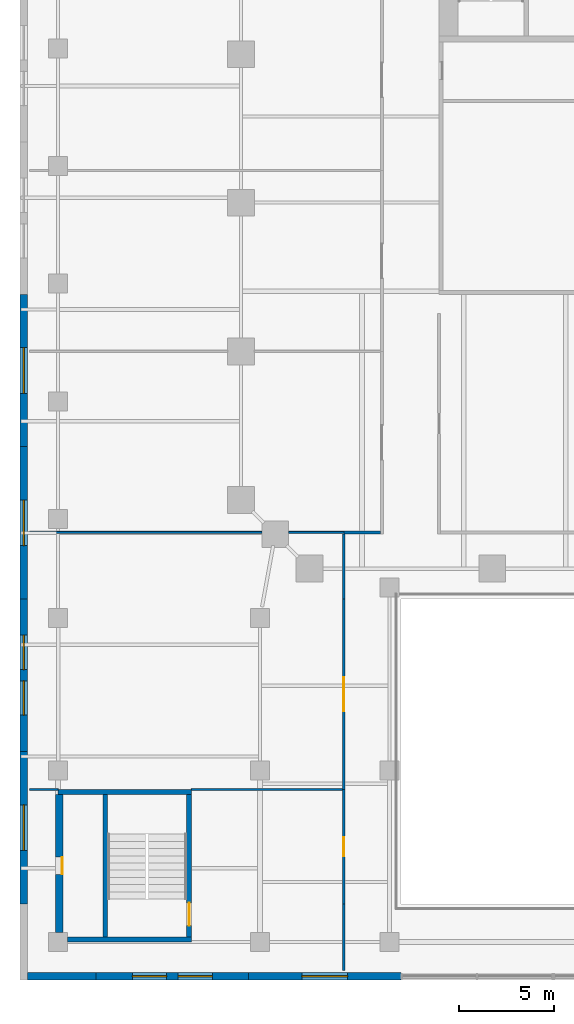
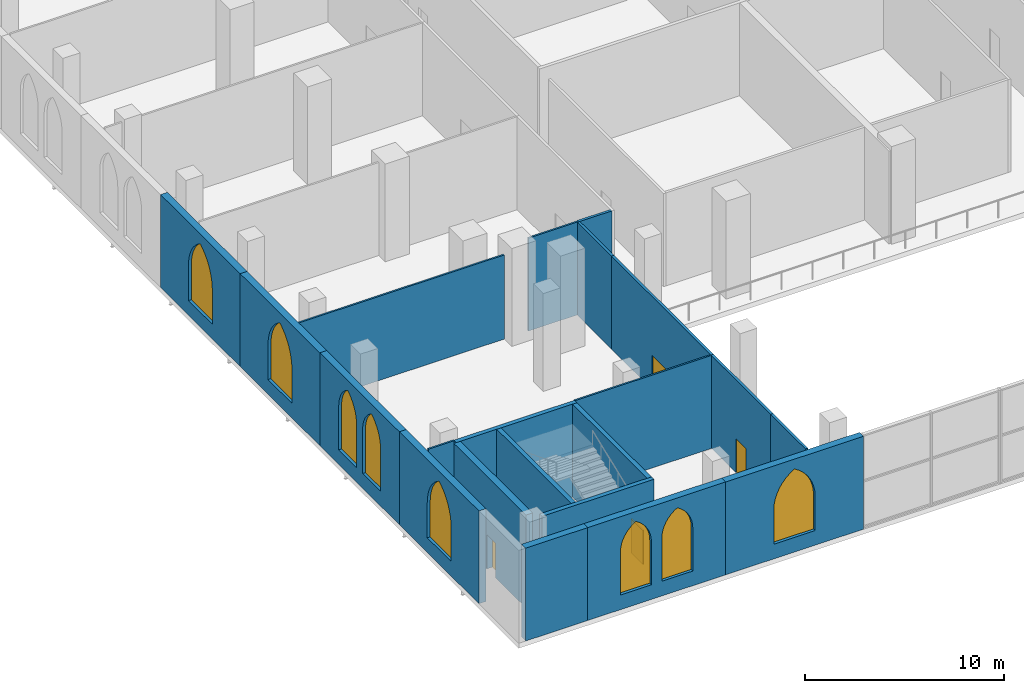
# One storey, part 8 of 21: 21 walls, 8 windows, 4 doors, 12 openings.
"""IFC4 building model written with IfcOpenShell, lengths in metres."""

from ifc_helpers import new_model, si_unit, direction, frame, frame_2d, origin, place, context, subcontext, project, spatial, polyline, rectangle, outline, extrude, material, layer, layer_set, type_object, element, fill, save


model = new_model("IFC4")

# Units and contexts
model_context = context("Model", 3, precision=1e-05, world=origin(), true_north=direction((0.0, 1.0)))
body_context = subcontext(model_context, "Body", "Model", "MODEL_VIEW")
ifc_project = project(units=[si_unit("LENGTHUNIT", "METRE"), si_unit("AREAUNIT", "SQUARE_METRE"), si_unit("VOLUMEUNIT", "CUBIC_METRE"), si_unit("PLANEANGLEUNIT", "RADIAN"), si_unit("MASSUNIT", "GRAM", prefix="KILO")], contexts=[model_context])

# Site, building, storey
site_placement = place(None, origin())
site = spatial("IfcSite", under=ifc_project, at=site_placement, CompositionType="ELEMENT")
building_placement = place(site_placement, origin())
building = spatial("IfcBuilding", under=site, at=building_placement, Name="Ogive Exchange Tower", CompositionType="ELEMENT")
storey_placement = place(building_placement, frame((0.0, 0.0, 8.0)))
storey = spatial("IfcBuildingStorey", under=building, at=storey_placement, Name="L01", CompositionType="ELEMENT", Elevation=8.0)

# Walls
ifc_material_1 = material(Name="Fire partition EI 60 150")
ifc_layer_1 = layer(ifc_material_1, 0.14990234375)
ifc_layer_set_1 = layer_set([ifc_layer_1], Name="Fire partition EI 60 150")
wall_type_1 = type_object("IfcWallType", Name="Fire partition EI 60 150", PredefinedType="PARTITIONING", material=ifc_layer_set_1)
wall_1_placement = place(storey_placement, frame((-27.0, -28.5, 0.0), z_axis=(0.0, 0.0, 1.0), x_axis=(1.0, 0.0, 0.0)))
element("IfcWall", 1, at=wall_1_placement, inside=storey, type_object=wall_type_1, Name="L01-PWL-007", PredefinedType="PARTITIONING", context=body_context, shape_type="SweptSolid", body=[
    extrude(rectangle(XDim=1.925048828125, YDim=0.14990234375, at=frame_2d((0.96240234375, 0.0))), origin(), (0.0, 0.0, 1.0), 5.699951171875),
])
wall_2_placement = place(storey_placement, frame((-27.0, -51.5, 0.0), z_axis=(0.0, 0.0, 1.0), x_axis=(0.0, 1.0, 0.0)))
element("IfcWall", 2, at=wall_2_placement, inside=storey, type_object=wall_type_1, Name="L01-PWL-041", PredefinedType="PARTITIONING", context=body_context, shape_type="SweptSolid", body=[
    extrude(rectangle(XDim=3.5, YDim=0.14990234375, at=frame_2d((1.75, 0.0))), origin(), (0.0, 0.0, 1.0), 5.699951171875),
])

# Wall, opening, door
wall_3_placement = place(storey_placement, frame((-27.0, -48.0, 0.0), z_axis=(0.0, 0.0, 1.0), x_axis=(0.0, 1.0, 0.0)))
wall_3 = element("IfcWall", 3, at=wall_3_placement, inside=storey, type_object=wall_type_1, Name="L01-PWL-042", PredefinedType="PARTITIONING", context=body_context, shape_type="SweptSolid", body=[
    extrude(rectangle(XDim=6.0, YDim=0.14990234375, at=frame_2d((3.0, 0.0))), origin(), (0.0, 0.0, 1.0), 5.699951171875),
])
opening_1_placement = place(wall_3_placement, frame((2.5, 0.0, 0.0)))
opening_1 = element("IfcOpeningElement", 4, at=opening_1_placement, cuts=wall_3, Name="Opening L01-I14", PredefinedType="OPENING", context=body_context, shape_type="SweptSolid", body=[
    extrude(rectangle(XDim=1.0, YDim=2.10009765625, at=frame_2d((0.5, 1.050048828125))), frame((0.0, 0.0849609375, 0.0), z_axis=(0.0, -1.0, 0.0), x_axis=(1.0, 0.0, 0.0)), (0.0, 0.0, 1.0), 0.169921875),
])
ifc_material_2 = material(Name="Fire door FD 30S 1000 x 2100")
door_type_1 = type_object("IfcDoorType", Name="Fire door FD 30S 1000 x 2100", OperationType="NOTDEFINED", PredefinedType="DOOR", material=ifc_material_2)
door_1_placement = place(opening_1_placement, origin())
door_1 = element("IfcDoor", 5, at=door_1_placement, inside=storey, type_object=door_type_1, Name="L01-IDR-014", ObjectType="DT3", OperationType="SINGLE_SWING_LEFT", OverallHeight=2.10009765625, OverallWidth=1.0, PredefinedType="DOOR", context=body_context, shape_type="SweptSolid", body=[
    extrude(rectangle(XDim=1.0, YDim=2.10009765625, at=frame_2d((0.5, 1.050048828125))), frame((0.0, 0.02490234375, 0.0), z_axis=(0.0, -1.0, 0.0), x_axis=(1.0, 0.0, 0.0)), (0.0, 0.0, 1.0), 0.050048828125),
])
fill(opening_1, door_1)

wall_4_placement = place(storey_placement, frame((-27.0, -42.0, 0.0), z_axis=(0.0, 0.0, 1.0), x_axis=(0.0, 1.0, 0.0)))
wall_4 = element("IfcWall", 6, at=wall_4_placement, inside=storey, type_object=wall_type_1, Name="L01-PWL-043", PredefinedType="PARTITIONING", context=body_context, shape_type="SweptSolid", body=[
    extrude(rectangle(XDim=10.0, YDim=0.14990234375, at=frame_2d((5.0, 0.0))), origin(), (0.0, 0.0, 1.0), 5.699951171875),
])
opening_2_placement = place(wall_4_placement, frame((4.10009765625, 0.0, 0.0)))
opening_2 = element("IfcOpeningElement", 7, at=opening_2_placement, cuts=wall_4, Name="Opening L01-I15", PredefinedType="OPENING", context=body_context, shape_type="SweptSolid", body=[
    extrude(rectangle(XDim=1.800048828125, YDim=2.10009765625, at=frame_2d((0.89990234375, 1.050048828125))), frame((0.0, 0.0849609375, 0.0), z_axis=(0.0, -1.0, 0.0), x_axis=(1.0, 0.0, 0.0)), (0.0, 0.0, 1.0), 0.169921875),
])
ifc_material_3 = material(Name="Fire door FD 30S 1800 x 2100")
door_type_2 = type_object("IfcDoorType", Name="Fire door FD 30S 1800 x 2100", OperationType="DOUBLE_DOOR_SINGLE_SWING", PredefinedType="DOOR", material=ifc_material_3)
door_2_placement = place(opening_2_placement, frame((1.800048828125, 0.0, 0.0), z_axis=(0.0, 0.0, 1.0), x_axis=(-1.0, 0.0, 0.0)))
door_2 = element("IfcDoor", 8, at=door_2_placement, inside=storey, type_object=door_type_2, Name="L01-IDR-015", ObjectType="DT4", OperationType="SINGLE_SWING_RIGHT", OverallHeight=2.10009765625, OverallWidth=1.800048828125, PredefinedType="DOOR", context=body_context, shape_type="SweptSolid", body=[
    extrude(rectangle(XDim=1.800048828125, YDim=2.10009765625, at=frame_2d((0.89990234375, 1.050048828125))), frame((0.0, 0.02490234375, 0.0), z_axis=(0.0, -1.0, 0.0), x_axis=(1.0, 0.0, 0.0)), (0.0, 0.0, 1.0), 0.050048828125),
])
fill(opening_2, door_2)

# Walls
wall_5_placement = place(storey_placement, frame((-27.0, -32.0, 0.0), z_axis=(0.0, 0.0, 1.0), x_axis=(0.0, 1.0, 0.0)))
element("IfcWall", 9, at=wall_5_placement, inside=storey, type_object=wall_type_1, Name="L01-PWL-044", PredefinedType="PARTITIONING", context=body_context, shape_type="SweptSolid", body=[
    extrude(rectangle(XDim=3.425048828125, YDim=0.14990234375, at=frame_2d((1.71240234375, 0.0))), origin(), (0.0, 0.0, 1.0), 5.699951171875),
])
ifc_material_4 = material(Name="Precast concrete C40/50", Category="concrete")
ifc_layer_2 = layer(ifc_material_4, 0.39990234375)
ifc_layer_set_2 = layer_set([ifc_layer_2], Name="Limestone-faced wall 400")
wall_type_2 = type_object("IfcWallType", Name="Limestone-faced wall 400", PredefinedType="STANDARD", material=ifc_layer_set_2)
wall_6_placement = place(storey_placement, frame((-43.60009765625, -51.800048828125, 0.0), z_axis=(0.0, 0.0, 1.0), x_axis=(1.0, 0.0, 0.0)))
element("IfcWall", 10, at=wall_6_placement, inside=storey, type_object=wall_type_2, Name="Podium wall S1", PredefinedType="STANDARD", context=body_context, shape_type="SweptSolid", body=[
    extrude(rectangle(XDim=3.60009765625, YDim=0.39990234375, at=frame_2d((1.800048828125, 0.0))), origin(), (0.0, 0.0, 1.0), 5.699951171875),
])

# Wall, openings, windows
wall_7_placement = place(storey_placement, frame((-40.0, -51.800048828125, 0.0), z_axis=(0.0, 0.0, 1.0), x_axis=(1.0, 0.0, 0.0)))
wall_7 = element("IfcWall", 11, at=wall_7_placement, inside=storey, type_object=wall_type_2, Name="Podium wall S2", PredefinedType="STANDARD", context=body_context, shape_type="SweptSolid", body=[
    extrude(rectangle(XDim=8.0, YDim=0.39990234375, at=frame_2d((4.0, 0.0))), origin(), (0.0, 0.0, 1.0), 5.699951171875),
])
opening_3_placement = place(wall_7_placement, frame((1.89990234375, 0.0, 0.89990234375)))
opening_3 = element("IfcOpeningElement", 12, at=opening_3_placement, cuts=wall_7, Name="Opening WQ420", PredefinedType="OPENING", context=body_context, shape_type="SweptSolid", body=[
    extrude(outline(polyline([(0.0, 0.0), (1.800048828125, 0.0), (1.800048828125, 2.64111328125), (1.78466796875, 2.8759765625), (1.73876953125, 3.10693359375), (1.6630859375, 3.329833984375), (1.558837890625, 3.541015625), (1.427978515625, 3.73681640625), (1.272705078125, 3.913818359375), (1.095703125, 4.069091796875), (0.89990234375, 4.199951171875), (0.704345703125, 4.069091796875), (0.52734375, 3.913818359375), (0.3720703125, 3.73681640625), (0.2412109375, 3.541015625), (0.136962890625, 3.329833984375), (0.061279296875, 3.10693359375), (0.015380859375, 2.8759765625), (0.0, 2.64111328125), (0.0, 0.0)])), frame((0.0, 0.2099609375, 0.0), z_axis=(0.0, -1.0, 0.0), x_axis=(1.0, 0.0, 0.0)), (0.0, 0.0, 1.0), 0.419921875),
])
opening_4_placement = place(wall_7_placement, frame((4.300048828125, 0.0, 0.89990234375)))
opening_4 = element("IfcOpeningElement", 13, at=opening_4_placement, cuts=wall_7, Name="Opening WQ420", PredefinedType="OPENING", context=body_context, shape_type="SweptSolid", body=[
    extrude(outline(polyline([(0.0, 0.0), (1.800048828125, 0.0), (1.800048828125, 2.64111328125), (1.78466796875, 2.8759765625), (1.73876953125, 3.10693359375), (1.6630859375, 3.329833984375), (1.558837890625, 3.541015625), (1.427978515625, 3.73681640625), (1.272705078125, 3.913818359375), (1.095703125, 4.069091796875), (0.89990234375, 4.199951171875), (0.704345703125, 4.069091796875), (0.52734375, 3.913818359375), (0.3720703125, 3.73681640625), (0.2412109375, 3.541015625), (0.136962890625, 3.329833984375), (0.061279296875, 3.10693359375), (0.015380859375, 2.8759765625), (0.0, 2.64111328125), (0.0, 0.0)])), frame((0.0, 0.2099609375, 0.0), z_axis=(0.0, -1.0, 0.0), x_axis=(1.0, 0.0, 0.0)), (0.0, 0.0, 1.0), 0.419921875),
])
ifc_material_5 = material(Name="Clear glass in bronze frame", Category="glass")
window_type_1 = type_object("IfcWindowType", Name="Podium paired lancet 1800 x 4200", PartitioningType="DOUBLE_PANEL_VERTICAL", PredefinedType="WINDOW", material=ifc_material_5)
window_1_placement = place(opening_3_placement, origin())
window_1 = element("IfcWindow", 14, at=window_1_placement, inside=storey, type_object=window_type_1, Name="Podium paired lancet S2.1", OverallHeight=4.199951171875, OverallWidth=1.800048828125, PartitioningType="DOUBLE_PANEL_VERTICAL", PredefinedType="WINDOW", context=body_context, shape_type="SweptSolid", body=[
    extrude(outline(polyline([(0.0, 0.0), (1.800048828125, 0.0), (1.800048828125, 2.64111328125), (1.78466796875, 2.8759765625), (1.73876953125, 3.10693359375), (1.6630859375, 3.329833984375), (1.558837890625, 3.541015625), (1.427978515625, 3.73681640625), (1.272705078125, 3.913818359375), (1.095703125, 4.069091796875), (0.89990234375, 4.199951171875), (0.704345703125, 4.069091796875), (0.52734375, 3.913818359375), (0.3720703125, 3.73681640625), (0.2412109375, 3.541015625), (0.136962890625, 3.329833984375), (0.061279296875, 3.10693359375), (0.015380859375, 2.8759765625), (0.0, 2.64111328125), (0.0, 0.0)])), frame((0.0, 0.030029296875, 0.0), z_axis=(0.0, -1.0, 0.0), x_axis=(1.0, 0.0, 0.0)), (0.0, 0.0, 1.0), 0.06005859375),
])
fill(opening_3, window_1)
window_2_placement = place(opening_4_placement, origin())
window_2 = element("IfcWindow", 15, at=window_2_placement, inside=storey, type_object=window_type_1, Name="Podium paired lancet S2.2", OverallHeight=4.199951171875, OverallWidth=1.800048828125, PartitioningType="DOUBLE_PANEL_VERTICAL", PredefinedType="WINDOW", context=body_context, shape_type="SweptSolid", body=[
    extrude(outline(polyline([(0.0, 0.0), (1.800048828125, 0.0), (1.800048828125, 2.64111328125), (1.78466796875, 2.8759765625), (1.73876953125, 3.10693359375), (1.6630859375, 3.329833984375), (1.558837890625, 3.541015625), (1.427978515625, 3.73681640625), (1.272705078125, 3.913818359375), (1.095703125, 4.069091796875), (0.89990234375, 4.199951171875), (0.704345703125, 4.069091796875), (0.52734375, 3.913818359375), (0.3720703125, 3.73681640625), (0.2412109375, 3.541015625), (0.136962890625, 3.329833984375), (0.061279296875, 3.10693359375), (0.015380859375, 2.8759765625), (0.0, 2.64111328125), (0.0, 0.0)])), frame((0.0, 0.030029296875, 0.0), z_axis=(0.0, -1.0, 0.0), x_axis=(1.0, 0.0, 0.0)), (0.0, 0.0, 1.0), 0.06005859375),
])
fill(opening_4, window_2)

# Wall, opening, window
wall_8_placement = place(storey_placement, frame((-32.0, -51.800048828125, 0.0), z_axis=(0.0, 0.0, 1.0), x_axis=(1.0, 0.0, 0.0)))
wall_8 = element("IfcWall", 16, at=wall_8_placement, inside=storey, type_object=wall_type_2, Name="Podium wall S3", PredefinedType="STANDARD", context=body_context, shape_type="SweptSolid", body=[
    extrude(rectangle(XDim=8.0, YDim=0.39990234375, at=frame_2d((4.0, 0.0))), origin(), (0.0, 0.0, 1.0), 5.699951171875),
])
opening_5_placement = place(wall_8_placement, frame((2.800048828125, 0.0, 0.89990234375)))
opening_5 = element("IfcOpeningElement", 17, at=opening_5_placement, cuts=wall_8, Name="Opening WP420", PredefinedType="OPENING", context=body_context, shape_type="SweptSolid", body=[
    extrude(outline(polyline([(0.0, 0.0), (2.39990234375, 0.0), (2.39990234375, 2.12158203125), (2.37939453125, 2.434814453125), (2.318115234375, 2.74267578125), (2.21728515625, 3.0400390625), (2.078369140625, 3.321533203125), (1.904052734375, 3.58251953125), (1.697021484375, 3.818603515625), (1.4609375, 4.025634765625), (1.199951171875, 4.199951171875), (0.93896484375, 4.025634765625), (0.702880859375, 3.818603515625), (0.495849609375, 3.58251953125), (0.321533203125, 3.321533203125), (0.1826171875, 3.0400390625), (0.081787109375, 2.74267578125), (0.0205078125, 2.434814453125), (0.0, 2.12158203125), (0.0, 0.0)])), frame((0.0, 0.2099609375, 0.0), z_axis=(0.0, -1.0, 0.0), x_axis=(1.0, 0.0, 0.0)), (0.0, 0.0, 1.0), 0.419921875),
])
window_type_2 = type_object("IfcWindowType", Name="Podium lancet window 2400 x 4200", PartitioningType="DOUBLE_PANEL_VERTICAL", PredefinedType="WINDOW", material=ifc_material_5)
window_3_placement = place(opening_5_placement, origin())
window_3 = element("IfcWindow", 18, at=window_3_placement, inside=storey, type_object=window_type_2, Name="Podium window S3", OverallHeight=4.199951171875, OverallWidth=2.39990234375, PartitioningType="DOUBLE_PANEL_VERTICAL", PredefinedType="WINDOW", context=body_context, shape_type="SweptSolid", body=[
    extrude(outline(polyline([(0.0, 0.0), (2.39990234375, 0.0), (2.39990234375, 2.12158203125), (2.37939453125, 2.434814453125), (2.318115234375, 2.74267578125), (2.21728515625, 3.0400390625), (2.078369140625, 3.321533203125), (1.904052734375, 3.58251953125), (1.697021484375, 3.818603515625), (1.4609375, 4.025634765625), (1.199951171875, 4.199951171875), (0.93896484375, 4.025634765625), (0.702880859375, 3.818603515625), (0.495849609375, 3.58251953125), (0.321533203125, 3.321533203125), (0.1826171875, 3.0400390625), (0.081787109375, 2.74267578125), (0.0205078125, 2.434814453125), (0.0, 2.12158203125), (0.0, 0.0)])), frame((0.0, 0.030029296875, 0.0), z_axis=(0.0, -1.0, 0.0), x_axis=(1.0, 0.0, 0.0)), (0.0, 0.0, 1.0), 0.06005859375),
])
fill(opening_5, window_3)

wall_9_placement = place(storey_placement, frame((-43.800048828125, -16.0, 0.0), z_axis=(0.0, 0.0, 1.0), x_axis=(0.0, -1.0, 0.0)))
wall_9 = element("IfcWall", 19, at=wall_9_placement, inside=storey, type_object=wall_type_2, Name="Podium wall W8", PredefinedType="STANDARD", context=body_context, shape_type="SweptSolid", body=[
    extrude(rectangle(XDim=8.0, YDim=0.39990234375, at=frame_2d((4.0, 0.0))), origin(), (0.0, 0.0, 1.0), 5.699951171875),
])
opening_6_placement = place(wall_9_placement, frame((2.800048828125, 0.0, 0.89990234375)))
opening_6 = element("IfcOpeningElement", 20, at=opening_6_placement, cuts=wall_9, Name="Opening WP420", PredefinedType="OPENING", context=body_context, shape_type="SweptSolid", body=[
    extrude(outline(polyline([(0.0, 0.0), (2.39990234375, 0.0), (2.39990234375, 2.12158203125), (2.37939453125, 2.434814453125), (2.318115234375, 2.74267578125), (2.21728515625, 3.0400390625), (2.078369140625, 3.321533203125), (1.904052734375, 3.58251953125), (1.697021484375, 3.818603515625), (1.4609375, 4.025634765625), (1.199951171875, 4.199951171875), (0.93896484375, 4.025634765625), (0.702880859375, 3.818603515625), (0.495849609375, 3.58251953125), (0.321533203125, 3.321533203125), (0.1826171875, 3.0400390625), (0.081787109375, 2.74267578125), (0.0205078125, 2.434814453125), (0.0, 2.12158203125), (0.0, 0.0)])), frame((0.0, 0.2099609375, 0.0), z_axis=(0.0, -1.0, 0.0), x_axis=(1.0, 0.0, 0.0)), (0.0, 0.0, 1.0), 0.419921875),
])
window_4_placement = place(opening_6_placement, origin())
window_4 = element("IfcWindow", 21, at=window_4_placement, inside=storey, type_object=window_type_2, Name="Podium window W8", OverallHeight=4.199951171875, OverallWidth=2.39990234375, PartitioningType="DOUBLE_PANEL_VERTICAL", PredefinedType="WINDOW", context=body_context, shape_type="SweptSolid", body=[
    extrude(outline(polyline([(0.0, 0.0), (2.39990234375, 0.0), (2.39990234375, 2.12158203125), (2.37939453125, 2.434814453125), (2.318115234375, 2.74267578125), (2.21728515625, 3.0400390625), (2.078369140625, 3.321533203125), (1.904052734375, 3.58251953125), (1.697021484375, 3.818603515625), (1.4609375, 4.025634765625), (1.199951171875, 4.199951171875), (0.93896484375, 4.025634765625), (0.702880859375, 3.818603515625), (0.495849609375, 3.58251953125), (0.321533203125, 3.321533203125), (0.1826171875, 3.0400390625), (0.081787109375, 2.74267578125), (0.0205078125, 2.434814453125), (0.0, 2.12158203125), (0.0, 0.0)])), frame((0.0, 0.030029296875, 0.0), z_axis=(0.0, -1.0, 0.0), x_axis=(1.0, 0.0, 0.0)), (0.0, 0.0, 1.0), 0.06005859375),
])
fill(opening_6, window_4)

wall_10_placement = place(storey_placement, frame((-43.800048828125, -24.0, 0.0), z_axis=(0.0, 0.0, 1.0), x_axis=(0.0, -1.0, 0.0)))
wall_10 = element("IfcWall", 22, at=wall_10_placement, inside=storey, type_object=wall_type_2, Name="Podium wall W9", PredefinedType="STANDARD", context=body_context, shape_type="SweptSolid", body=[
    extrude(rectangle(XDim=8.0, YDim=0.39990234375, at=frame_2d((4.0, 0.0))), origin(), (0.0, 0.0, 1.0), 5.699951171875),
])
opening_7_placement = place(wall_10_placement, frame((2.800048828125, 0.0, 0.89990234375)))
opening_7 = element("IfcOpeningElement", 23, at=opening_7_placement, cuts=wall_10, Name="Opening WP420", PredefinedType="OPENING", context=body_context, shape_type="SweptSolid", body=[
    extrude(outline(polyline([(0.0, 0.0), (2.39990234375, 0.0), (2.39990234375, 2.12158203125), (2.37939453125, 2.434814453125), (2.318115234375, 2.74267578125), (2.21728515625, 3.0400390625), (2.078369140625, 3.321533203125), (1.904052734375, 3.58251953125), (1.697021484375, 3.818603515625), (1.4609375, 4.025634765625), (1.199951171875, 4.199951171875), (0.93896484375, 4.025634765625), (0.702880859375, 3.818603515625), (0.495849609375, 3.58251953125), (0.321533203125, 3.321533203125), (0.1826171875, 3.0400390625), (0.081787109375, 2.74267578125), (0.0205078125, 2.434814453125), (0.0, 2.12158203125), (0.0, 0.0)])), frame((0.0, 0.2099609375, 0.0), z_axis=(0.0, -1.0, 0.0), x_axis=(1.0, 0.0, 0.0)), (0.0, 0.0, 1.0), 0.419921875),
])
window_5_placement = place(opening_7_placement, origin())
window_5 = element("IfcWindow", 24, at=window_5_placement, inside=storey, type_object=window_type_2, Name="Podium window W9", OverallHeight=4.199951171875, OverallWidth=2.39990234375, PartitioningType="DOUBLE_PANEL_VERTICAL", PredefinedType="WINDOW", context=body_context, shape_type="SweptSolid", body=[
    extrude(outline(polyline([(0.0, 0.0), (2.39990234375, 0.0), (2.39990234375, 2.12158203125), (2.37939453125, 2.434814453125), (2.318115234375, 2.74267578125), (2.21728515625, 3.0400390625), (2.078369140625, 3.321533203125), (1.904052734375, 3.58251953125), (1.697021484375, 3.818603515625), (1.4609375, 4.025634765625), (1.199951171875, 4.199951171875), (0.93896484375, 4.025634765625), (0.702880859375, 3.818603515625), (0.495849609375, 3.58251953125), (0.321533203125, 3.321533203125), (0.1826171875, 3.0400390625), (0.081787109375, 2.74267578125), (0.0205078125, 2.434814453125), (0.0, 2.12158203125), (0.0, 0.0)])), frame((0.0, 0.030029296875, 0.0), z_axis=(0.0, -1.0, 0.0), x_axis=(1.0, 0.0, 0.0)), (0.0, 0.0, 1.0), 0.06005859375),
])
fill(opening_7, window_5)

# Wall, openings, windows
wall_11_placement = place(storey_placement, frame((-43.800048828125, -32.0, 0.0), z_axis=(0.0, 0.0, 1.0), x_axis=(0.0, -1.0, 0.0)))
wall_11 = element("IfcWall", 25, at=wall_11_placement, inside=storey, type_object=wall_type_2, Name="Podium wall W10", PredefinedType="STANDARD", context=body_context, shape_type="SweptSolid", body=[
    extrude(rectangle(XDim=8.0, YDim=0.39990234375, at=frame_2d((4.0, 0.0))), origin(), (0.0, 0.0, 1.0), 5.699951171875),
])
opening_8_placement = place(wall_11_placement, frame((1.89990234375, 0.0, 0.89990234375)))
opening_8 = element("IfcOpeningElement", 26, at=opening_8_placement, cuts=wall_11, Name="Opening WQ420", PredefinedType="OPENING", context=body_context, shape_type="SweptSolid", body=[
    extrude(outline(polyline([(0.0, 0.0), (1.800048828125, 0.0), (1.800048828125, 2.64111328125), (1.78466796875, 2.8759765625), (1.73876953125, 3.10693359375), (1.6630859375, 3.329833984375), (1.558837890625, 3.541015625), (1.427978515625, 3.73681640625), (1.272705078125, 3.913818359375), (1.095703125, 4.069091796875), (0.89990234375, 4.199951171875), (0.704345703125, 4.069091796875), (0.52734375, 3.913818359375), (0.3720703125, 3.73681640625), (0.2412109375, 3.541015625), (0.136962890625, 3.329833984375), (0.061279296875, 3.10693359375), (0.015380859375, 2.8759765625), (0.0, 2.64111328125), (0.0, 0.0)])), frame((0.0, 0.2099609375, 0.0), z_axis=(0.0, -1.0, 0.0), x_axis=(1.0, 0.0, 0.0)), (0.0, 0.0, 1.0), 0.419921875),
])
opening_9_placement = place(wall_11_placement, frame((4.300048828125, 0.0, 0.89990234375)))
opening_9 = element("IfcOpeningElement", 27, at=opening_9_placement, cuts=wall_11, Name="Opening WQ420", PredefinedType="OPENING", context=body_context, shape_type="SweptSolid", body=[
    extrude(outline(polyline([(0.0, 0.0), (1.800048828125, 0.0), (1.800048828125, 2.64111328125), (1.78466796875, 2.8759765625), (1.73876953125, 3.10693359375), (1.6630859375, 3.329833984375), (1.558837890625, 3.541015625), (1.427978515625, 3.73681640625), (1.272705078125, 3.913818359375), (1.095703125, 4.069091796875), (0.89990234375, 4.199951171875), (0.704345703125, 4.069091796875), (0.52734375, 3.913818359375), (0.3720703125, 3.73681640625), (0.2412109375, 3.541015625), (0.136962890625, 3.329833984375), (0.061279296875, 3.10693359375), (0.015380859375, 2.8759765625), (0.0, 2.64111328125), (0.0, 0.0)])), frame((0.0, 0.2099609375, 0.0), z_axis=(0.0, -1.0, 0.0), x_axis=(1.0, 0.0, 0.0)), (0.0, 0.0, 1.0), 0.419921875),
])
window_6_placement = place(opening_8_placement, origin())
window_6 = element("IfcWindow", 28, at=window_6_placement, inside=storey, type_object=window_type_1, Name="Podium paired lancet W10.1", OverallHeight=4.199951171875, OverallWidth=1.800048828125, PartitioningType="DOUBLE_PANEL_VERTICAL", PredefinedType="WINDOW", context=body_context, shape_type="SweptSolid", body=[
    extrude(outline(polyline([(0.0, 0.0), (1.800048828125, 0.0), (1.800048828125, 2.64111328125), (1.78466796875, 2.8759765625), (1.73876953125, 3.10693359375), (1.6630859375, 3.329833984375), (1.558837890625, 3.541015625), (1.427978515625, 3.73681640625), (1.272705078125, 3.913818359375), (1.095703125, 4.069091796875), (0.89990234375, 4.199951171875), (0.704345703125, 4.069091796875), (0.52734375, 3.913818359375), (0.3720703125, 3.73681640625), (0.2412109375, 3.541015625), (0.136962890625, 3.329833984375), (0.061279296875, 3.10693359375), (0.015380859375, 2.8759765625), (0.0, 2.64111328125), (0.0, 0.0)])), frame((0.0, 0.030029296875, 0.0), z_axis=(0.0, -1.0, 0.0), x_axis=(1.0, 0.0, 0.0)), (0.0, 0.0, 1.0), 0.06005859375),
])
fill(opening_8, window_6)
window_7_placement = place(opening_9_placement, origin())
window_7 = element("IfcWindow", 29, at=window_7_placement, inside=storey, type_object=window_type_1, Name="Podium paired lancet W10.2", OverallHeight=4.199951171875, OverallWidth=1.800048828125, PartitioningType="DOUBLE_PANEL_VERTICAL", PredefinedType="WINDOW", context=body_context, shape_type="SweptSolid", body=[
    extrude(outline(polyline([(0.0, 0.0), (1.800048828125, 0.0), (1.800048828125, 2.64111328125), (1.78466796875, 2.8759765625), (1.73876953125, 3.10693359375), (1.6630859375, 3.329833984375), (1.558837890625, 3.541015625), (1.427978515625, 3.73681640625), (1.272705078125, 3.913818359375), (1.095703125, 4.069091796875), (0.89990234375, 4.199951171875), (0.704345703125, 4.069091796875), (0.52734375, 3.913818359375), (0.3720703125, 3.73681640625), (0.2412109375, 3.541015625), (0.136962890625, 3.329833984375), (0.061279296875, 3.10693359375), (0.015380859375, 2.8759765625), (0.0, 2.64111328125), (0.0, 0.0)])), frame((0.0, 0.030029296875, 0.0), z_axis=(0.0, -1.0, 0.0), x_axis=(1.0, 0.0, 0.0)), (0.0, 0.0, 1.0), 0.06005859375),
])
fill(opening_9, window_7)

# Wall, opening, window
wall_12_placement = place(storey_placement, frame((-43.800048828125, -40.0, 0.0), z_axis=(0.0, 0.0, 1.0), x_axis=(0.0, -1.0, 0.0)))
wall_12 = element("IfcWall", 30, at=wall_12_placement, inside=storey, type_object=wall_type_2, Name="Podium wall W11", PredefinedType="STANDARD", context=body_context, shape_type="SweptSolid", body=[
    extrude(rectangle(XDim=8.0, YDim=0.39990234375, at=frame_2d((4.0, 0.0))), origin(), (0.0, 0.0, 1.0), 5.699951171875),
])
opening_10_placement = place(wall_12_placement, frame((2.800048828125, 0.0, 0.89990234375)))
opening_10 = element("IfcOpeningElement", 31, at=opening_10_placement, cuts=wall_12, Name="Opening WP420", PredefinedType="OPENING", context=body_context, shape_type="SweptSolid", body=[
    extrude(outline(polyline([(0.0, 0.0), (2.39990234375, 0.0), (2.39990234375, 2.12158203125), (2.37939453125, 2.434814453125), (2.318115234375, 2.74267578125), (2.21728515625, 3.0400390625), (2.078369140625, 3.321533203125), (1.904052734375, 3.58251953125), (1.697021484375, 3.818603515625), (1.4609375, 4.025634765625), (1.199951171875, 4.199951171875), (0.93896484375, 4.025634765625), (0.702880859375, 3.818603515625), (0.495849609375, 3.58251953125), (0.321533203125, 3.321533203125), (0.1826171875, 3.0400390625), (0.081787109375, 2.74267578125), (0.0205078125, 2.434814453125), (0.0, 2.12158203125), (0.0, 0.0)])), frame((0.0, 0.2099609375, 0.0), z_axis=(0.0, -1.0, 0.0), x_axis=(1.0, 0.0, 0.0)), (0.0, 0.0, 1.0), 0.419921875),
])
window_8_placement = place(opening_10_placement, origin())
window_8 = element("IfcWindow", 32, at=window_8_placement, inside=storey, type_object=window_type_2, Name="Podium window W11", OverallHeight=4.199951171875, OverallWidth=2.39990234375, PartitioningType="DOUBLE_PANEL_VERTICAL", PredefinedType="WINDOW", context=body_context, shape_type="SweptSolid", body=[
    extrude(outline(polyline([(0.0, 0.0), (2.39990234375, 0.0), (2.39990234375, 2.12158203125), (2.37939453125, 2.434814453125), (2.318115234375, 2.74267578125), (2.21728515625, 3.0400390625), (2.078369140625, 3.321533203125), (1.904052734375, 3.58251953125), (1.697021484375, 3.818603515625), (1.4609375, 4.025634765625), (1.199951171875, 4.199951171875), (0.93896484375, 4.025634765625), (0.702880859375, 3.818603515625), (0.495849609375, 3.58251953125), (0.321533203125, 3.321533203125), (0.1826171875, 3.0400390625), (0.081787109375, 2.74267578125), (0.0205078125, 2.434814453125), (0.0, 2.12158203125), (0.0, 0.0)])), frame((0.0, 0.030029296875, 0.0), z_axis=(0.0, -1.0, 0.0), x_axis=(1.0, 0.0, 0.0)), (0.0, 0.0, 1.0), 0.06005859375),
])
fill(opening_10, window_8)

# Walls
ifc_material_6 = material(Name="Partition 100 gypsum")
ifc_layer_3 = layer(ifc_material_6, 0.10009765625)
ifc_layer_set_3 = layer_set([ifc_layer_3], Name="Partition 100 gypsum")
wall_type_3 = type_object("IfcWallType", Name="Partition 100 gypsum", PredefinedType="PARTITIONING", material=ifc_layer_set_3)
wall_13_placement = place(storey_placement, frame((-43.5, -42.0, 0.0), z_axis=(0.0, 0.0, 1.0), x_axis=(1.0, 0.0, 0.0)))
element("IfcWall", 33, at=wall_13_placement, inside=storey, type_object=wall_type_3, Name="L01-PWL-001", PredefinedType="PARTITIONING", context=body_context, shape_type="SweptSolid", body=[
    extrude(rectangle(XDim=1.5, YDim=0.10009765625, at=frame_2d((0.75, 0.0))), origin(), (0.0, 0.0, 1.0), 5.699951171875),
])
wall_14_placement = place(storey_placement, frame((-35.0, -42.0, 0.0), z_axis=(0.0, 0.0, 1.0), x_axis=(1.0, 0.0, 0.0)))
element("IfcWall", 34, at=wall_14_placement, inside=storey, type_object=wall_type_3, Name="L01-PWL-002", PredefinedType="PARTITIONING", context=body_context, shape_type="SweptSolid", body=[
    extrude(rectangle(XDim=7.925048828125, YDim=0.10009765625, at=frame_2d((3.96240234375, 0.0))), origin(), (0.0, 0.0, 1.0), 5.699951171875),
])
wall_15_placement = place(storey_placement, frame((-43.5, -28.5, 0.0), z_axis=(0.0, 0.0, 1.0), x_axis=(1.0, 0.0, 0.0)))
element("IfcWall", 35, at=wall_15_placement, inside=storey, type_object=wall_type_3, Name="L01-PWL-005", PredefinedType="PARTITIONING", context=body_context, shape_type="SweptSolid", body=[
    extrude(rectangle(XDim=12.199951171875, YDim=0.10009765625, at=frame_2d((6.10009765625, 0.0))), origin(), (0.0, 0.0, 1.0), 5.1640625),
])
wall_16_placement = place(storey_placement, frame((-29.89990234375, -28.5, 0.0), z_axis=(0.0, 0.0, 1.0), x_axis=(1.0, 0.0, 0.0)))
element("IfcWall", 36, at=wall_16_placement, inside=storey, type_object=wall_type_3, Name="L01-PWL-006", PredefinedType="PARTITIONING", context=body_context, shape_type="SweptSolid", body=[
    extrude(rectangle(XDim=2.89990234375, YDim=0.10009765625, at=frame_2d((1.449951171875, 0.0))), origin(), (0.0, 0.0, 1.0), 5.699951171875),
])
ifc_material_7 = material(Name="Concrete C70/85", Category="concrete")
ifc_layer_4 = layer(ifc_material_7, 0.25)
ifc_layer_set_4 = layer_set([ifc_layer_4], Name="RC core wall 250 C70/85")
wall_type_4 = type_object("IfcWallType", Name="RC core wall 250 C70/85", PredefinedType="SHEAR", material=ifc_layer_set_4)
wall_17_placement = place(storey_placement, frame((-41.5, -49.875, 0.0), z_axis=(0.0, 0.0, 1.0), x_axis=(1.0, 0.0, 0.0)))
element("IfcWall", 37, at=wall_17_placement, inside=storey, type_object=wall_type_4, Name="PS1 south wall", PredefinedType="SHEAR", context=body_context, shape_type="SweptSolid", body=[
    extrude(rectangle(XDim=6.5, YDim=0.25, at=frame_2d((3.25, 0.0))), origin(), (0.0, 0.0, 1.0), 5.699951171875),
])
wall_18_placement = place(storey_placement, frame((-42.0, -42.125, 0.0), z_axis=(0.0, 0.0, 1.0), x_axis=(1.0, 0.0, 0.0)))
element("IfcWall", 38, at=wall_18_placement, inside=storey, type_object=wall_type_4, Name="PS1 north wall", PredefinedType="SHEAR", context=body_context, shape_type="SweptSolid", body=[
    extrude(rectangle(XDim=7.0, YDim=0.25, at=frame_2d((3.5, 0.0))), origin(), (0.0, 0.0, 1.0), 5.699951171875),
])

# Wall, opening, door
wall_19_placement = place(storey_placement, frame((-35.125, -49.75, 0.0), z_axis=(0.0, 0.0, 1.0), x_axis=(0.0, 1.0, 0.0)))
wall_19 = element("IfcWall", 39, at=wall_19_placement, inside=storey, type_object=wall_type_4, Name="PS1 east wall", PredefinedType="SHEAR", context=body_context, shape_type="SweptSolid", body=[
    extrude(rectangle(XDim=7.5, YDim=0.25, at=frame_2d((3.75, 0.0))), origin(), (0.0, 0.0, 1.0), 5.699951171875),
])
opening_11_placement = place(wall_19_placement, frame((0.60009765625, 0.0, 0.0)))
opening_11 = element("IfcOpeningElement", 40, at=opening_11_placement, cuts=wall_19, Name="Opening L01-C45", PredefinedType="OPENING", context=body_context, shape_type="SweptSolid", body=[
    extrude(rectangle(XDim=1.199951171875, YDim=2.10009765625, at=frame_2d((0.60009765625, 1.050048828125))), frame((0.0, 0.135009765625, 0.0), z_axis=(0.0, -1.0, 0.0), x_axis=(1.0, 0.0, 0.0)), (0.0, 0.0, 1.0), 0.27001953125),
])
ifc_material_8 = material(Name="Steel fire door", Category="steel")
door_type_3 = type_object("IfcDoorType", Name="Stair door FD90 1200 x 2100", OperationType="NOTDEFINED", PredefinedType="DOOR", material=ifc_material_8)
door_3_placement = place(opening_11_placement, origin())
door_3 = element("IfcDoor", 41, at=door_3_placement, inside=storey, type_object=door_type_3, Name="Stair door", ObjectType="CD5", OperationType="SINGLE_SWING_RIGHT", OverallHeight=2.10009765625, OverallWidth=1.199951171875, PredefinedType="DOOR", context=body_context, shape_type="SweptSolid", body=[
    extrude(rectangle(XDim=1.199951171875, YDim=2.10009765625, at=frame_2d((0.60009765625, 1.050048828125))), frame((0.0, 0.02490234375, 0.0), z_axis=(0.0, -1.0, 0.0), x_axis=(1.0, 0.0, 0.0)), (0.0, 0.0, 1.0), 0.050048828125),
])
fill(opening_11, door_3)

# Wall
wall_20_placement = place(storey_placement, frame((-39.52490234375, -49.75, 0.0), z_axis=(0.0, 0.0, 1.0), x_axis=(0.0, 1.0, 0.0)))
element("IfcWall", 42, at=wall_20_placement, inside=storey, type_object=wall_type_4, Name="PS1 partition wall", PredefinedType="SHEAR", context=body_context, shape_type="SweptSolid", body=[
    extrude(rectangle(XDim=7.5, YDim=0.25, at=frame_2d((3.75, 0.0))), origin(), (0.0, 0.0, 1.0), 5.699951171875),
])

# Wall, opening, door
ifc_layer_5 = layer(ifc_material_7, 0.383544921875)
ifc_layer_set_5 = layer_set([ifc_layer_5], Name="RC core wall 384 C70/85")
wall_type_5 = type_object("IfcWallType", Name="RC core wall 384 C70/85", PredefinedType="SHEAR", material=ifc_layer_set_5)
wall_21_placement = place(storey_placement, frame((-41.941650390625, -49.5, 0.0), z_axis=(0.0, 0.0, 1.0), x_axis=(0.0, 1.0, 0.0)))
wall_21 = element("IfcWall", 43, at=wall_21_placement, inside=storey, type_object=wall_type_5, Name="PS1 west wall", PredefinedType="SHEAR", context=body_context, shape_type="SweptSolid", body=[
    extrude(rectangle(XDim=7.25, YDim=0.383544921875, at=frame_2d((3.625, 0.0))), origin(), (0.0, 0.0, 1.0), 5.699951171875),
])
opening_12_placement = place(wall_21_placement, frame((3.050048828125, 0.0, 0.0)))
opening_12 = element("IfcOpeningElement", 44, at=opening_12_placement, cuts=wall_21, Name="Opening L01-C46", PredefinedType="OPENING", context=body_context, shape_type="SweptSolid", body=[
    extrude(rectangle(XDim=0.89990234375, YDim=2.10009765625, at=frame_2d((0.449951171875, 1.050048828125))), frame((0.0, 0.20166015625, 0.0), z_axis=(0.0, -1.0, 0.0), x_axis=(1.0, 0.0, 0.0)), (0.0, 0.0, 1.0), 0.403564453125),
])
door_type_4 = type_object("IfcDoorType", Name="Riser door FD60 900 x 2100", OperationType="NOTDEFINED", PredefinedType="DOOR", material=ifc_material_8)
door_4_placement = place(opening_12_placement, origin())
door_4 = element("IfcDoor", 45, at=door_4_placement, inside=storey, type_object=door_type_4, Name="Riser door", ObjectType="CD2", OperationType="SINGLE_SWING_LEFT", OverallHeight=2.10009765625, OverallWidth=0.89990234375, PredefinedType="DOOR", context=body_context, shape_type="SweptSolid", body=[
    extrude(rectangle(XDim=0.89990234375, YDim=2.10009765625, at=frame_2d((0.449951171875, 1.050048828125))), frame((0.0, -0.1416015625, 0.0), z_axis=(0.0, -1.0, 0.0), x_axis=(1.0, 0.0, 0.0)), (0.0, 0.0, 1.0), 0.050048828125),
])
fill(opening_12, door_4)

save(model, "model.ifc")
